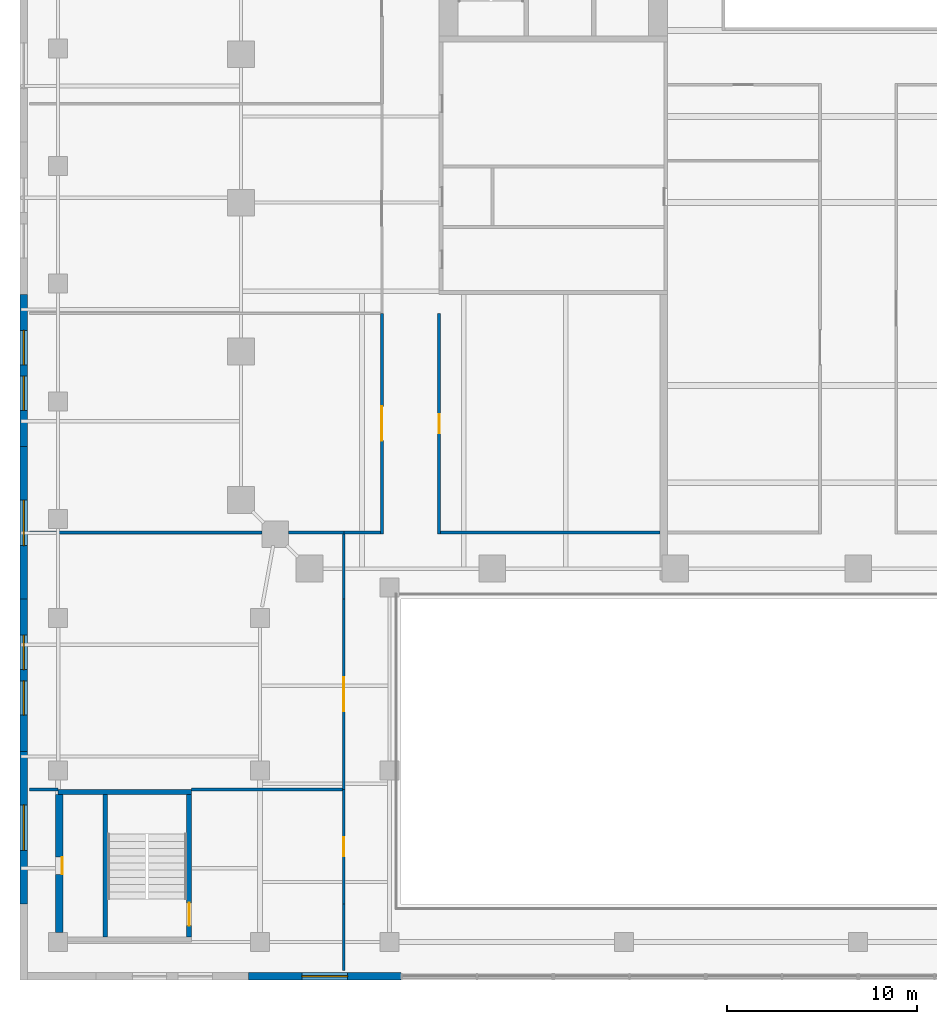
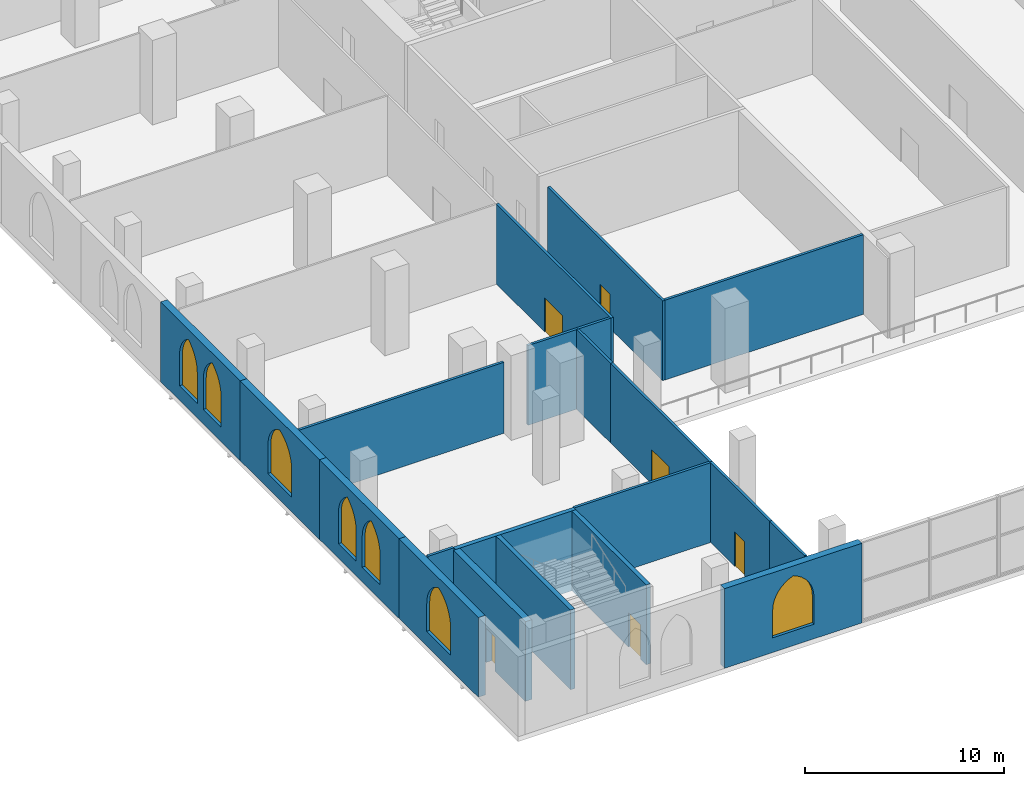
# One storey, part 9 of 22: 21 walls, 7 windows, 6 doors, 13 openings.
"""IFC4 building model written with IfcOpenShell, lengths in metres."""

from ifc_helpers import new_model, si_unit, direction, frame, frame_2d, origin, place, context, subcontext, project, spatial, polyline, rectangle, outline, extrude, material, layer, layer_set, type_object, element, fill, save


model = new_model("IFC4")

# Units and contexts
model_context = context("Model", 3, precision=1e-05, world=origin(), true_north=direction((0.0, 1.0)))
body_context = subcontext(model_context, "Body", "Model", "MODEL_VIEW")
ifc_project = project(units=[si_unit("LENGTHUNIT", "METRE"), si_unit("AREAUNIT", "SQUARE_METRE"), si_unit("VOLUMEUNIT", "CUBIC_METRE"), si_unit("PLANEANGLEUNIT", "RADIAN"), si_unit("MASSUNIT", "GRAM", prefix="KILO")], contexts=[model_context])

# Site, building, storey
site_placement = place(None, origin())
site = spatial("IfcSite", under=ifc_project, at=site_placement, CompositionType="ELEMENT")
building_placement = place(site_placement, origin())
building = spatial("IfcBuilding", under=site, at=building_placement, Name="Ogive Exchange Tower", CompositionType="ELEMENT")
storey_placement = place(building_placement, frame((0.0, 0.0, 14.0)))
storey = spatial("IfcBuildingStorey", under=building, at=storey_placement, Name="L02", CompositionType="ELEMENT", Elevation=14.0)

# Walls
ifc_material_1 = material(Name="Acoustic partition 150")
ifc_layer_1 = layer(ifc_material_1, 0.14990234375)
ifc_layer_set_1 = layer_set([ifc_layer_1], Name="Acoustic partition 150")
wall_type_1 = type_object("IfcWallType", Name="Acoustic partition 150", PredefinedType="PARTITIONING", material=ifc_layer_set_1)
wall_1_placement = place(storey_placement, frame((-43.5, -42.0, 0.0), z_axis=(0.0, 0.0, 1.0), x_axis=(1.0, 0.0, 0.0)))
element("IfcWall", 1, at=wall_1_placement, inside=storey, type_object=wall_type_1, Name="L02-PWL-001", PredefinedType="PARTITIONING", context=body_context, shape_type="SweptSolid", body=[
    extrude(rectangle(XDim=1.5, YDim=0.14990234375, at=frame_2d((0.75, 0.0))), origin(), (0.0, 0.0, 1.0), 4.89990234375),
])
wall_2_placement = place(storey_placement, frame((-35.0, -42.0, 0.0), z_axis=(0.0, 0.0, 1.0), x_axis=(1.0, 0.0, 0.0)))
element("IfcWall", 2, at=wall_2_placement, inside=storey, type_object=wall_type_1, Name="L02-PWL-002", PredefinedType="PARTITIONING", context=body_context, shape_type="SweptSolid", body=[
    extrude(rectangle(XDim=7.925048828125, YDim=0.14990234375, at=frame_2d((3.96240234375, 0.0))), origin(), (0.0, 0.0, 1.0), 4.89990234375),
])
wall_3_placement = place(storey_placement, frame((-43.5, -28.5, 0.0), z_axis=(0.0, 0.0, 1.0), x_axis=(1.0, 0.0, 0.0)))
element("IfcWall", 3, at=wall_3_placement, inside=storey, type_object=wall_type_1, Name="L02-PWL-005", PredefinedType="PARTITIONING", context=body_context, shape_type="SweptSolid", body=[
    extrude(rectangle(XDim=12.199951171875, YDim=0.14990234375, at=frame_2d((6.10009765625, 0.0))), origin(), (0.0, 0.0, 1.0), 4.364013671875),
])
wall_4_placement = place(storey_placement, frame((-29.89990234375, -28.5, 0.0), z_axis=(0.0, 0.0, 1.0), x_axis=(1.0, 0.0, 0.0)))
element("IfcWall", 4, at=wall_4_placement, inside=storey, type_object=wall_type_1, Name="L02-PWL-006", PredefinedType="PARTITIONING", context=body_context, shape_type="SweptSolid", body=[
    extrude(rectangle(XDim=2.89990234375, YDim=0.14990234375, at=frame_2d((1.449951171875, 0.0))), origin(), (0.0, 0.0, 1.0), 4.89990234375),
])
ifc_material_2 = material(Name="Fire partition EI 60 150")
ifc_layer_2 = layer(ifc_material_2, 0.14990234375)
ifc_layer_set_2 = layer_set([ifc_layer_2], Name="Fire partition EI 60 150")
wall_type_2 = type_object("IfcWallType", Name="Fire partition EI 60 150", PredefinedType="PARTITIONING", material=ifc_layer_set_2)
wall_5_placement = place(storey_placement, frame((-27.0, -28.5, 0.0), z_axis=(0.0, 0.0, 1.0), x_axis=(1.0, 0.0, 0.0)))
element("IfcWall", 5, at=wall_5_placement, inside=storey, type_object=wall_type_2, Name="L02-PWL-007", PredefinedType="PARTITIONING", context=body_context, shape_type="SweptSolid", body=[
    extrude(rectangle(XDim=1.925048828125, YDim=0.14990234375, at=frame_2d((0.96240234375, 0.0))), origin(), (0.0, 0.0, 1.0), 4.89990234375),
])
wall_6_placement = place(storey_placement, frame((-21.925048828125, -28.5, 0.0), z_axis=(0.0, 0.0, 1.0), x_axis=(1.0, 0.0, 0.0)))
element("IfcWall", 6, at=wall_6_placement, inside=storey, type_object=wall_type_2, Name="L02-PWL-008", PredefinedType="PARTITIONING", context=body_context, shape_type="SweptSolid", body=[
    extrude(rectangle(XDim=11.525146484375, YDim=0.14990234375, at=frame_2d((5.7626953125, 0.0))), origin(), (0.0, 0.0, 1.0), 4.89990234375),
])
wall_7_placement = place(storey_placement, frame((-27.0, -51.5, 0.0), z_axis=(0.0, 0.0, 1.0), x_axis=(0.0, 1.0, 0.0)))
element("IfcWall", 7, at=wall_7_placement, inside=storey, type_object=wall_type_2, Name="L02-PWL-037", PredefinedType="PARTITIONING", context=body_context, shape_type="SweptSolid", body=[
    extrude(rectangle(XDim=3.5, YDim=0.14990234375, at=frame_2d((1.75, 0.0))), origin(), (0.0, 0.0, 1.0), 4.89990234375),
])

# Wall, opening, door
wall_8_placement = place(storey_placement, frame((-27.0, -48.0, 0.0), z_axis=(0.0, 0.0, 1.0), x_axis=(0.0, 1.0, 0.0)))
wall_8 = element("IfcWall", 8, at=wall_8_placement, inside=storey, type_object=wall_type_2, Name="L02-PWL-038", PredefinedType="PARTITIONING", context=body_context, shape_type="SweptSolid", body=[
    extrude(rectangle(XDim=6.0, YDim=0.14990234375, at=frame_2d((3.0, 0.0))), origin(), (0.0, 0.0, 1.0), 4.89990234375),
])
opening_1_placement = place(wall_8_placement, frame((2.5, 0.0, 0.0)))
opening_1 = element("IfcOpeningElement", 9, at=opening_1_placement, cuts=wall_8, Name="Opening L02-I14", PredefinedType="OPENING", context=body_context, shape_type="SweptSolid", body=[
    extrude(rectangle(XDim=1.0, YDim=2.10009765625, at=frame_2d((0.5, 1.050048828125))), frame((0.0, 0.0849609375, 0.0), z_axis=(0.0, -1.0, 0.0), x_axis=(1.0, 0.0, 0.0)), (0.0, 0.0, 1.0), 0.169921875),
])
ifc_material_3 = material(Name="Fire door FD 30S 1000 x 2100")
door_type_1 = type_object("IfcDoorType", Name="Fire door FD 30S 1000 x 2100", OperationType="NOTDEFINED", PredefinedType="DOOR", material=ifc_material_3)
door_1_placement = place(opening_1_placement, origin())
door_1 = element("IfcDoor", 10, at=door_1_placement, inside=storey, type_object=door_type_1, Name="L02-IDR-014", ObjectType="DT3", OperationType="SINGLE_SWING_LEFT", OverallHeight=2.10009765625, OverallWidth=1.0, PredefinedType="DOOR", context=body_context, shape_type="SweptSolid", body=[
    extrude(rectangle(XDim=1.0, YDim=2.10009765625, at=frame_2d((0.5, 1.050048828125))), frame((0.0, 0.02490234375, 0.0), z_axis=(0.0, -1.0, 0.0), x_axis=(1.0, 0.0, 0.0)), (0.0, 0.0, 1.0), 0.050048828125),
])
fill(opening_1, door_1)

wall_9_placement = place(storey_placement, frame((-27.0, -42.0, 0.0), z_axis=(0.0, 0.0, 1.0), x_axis=(0.0, 1.0, 0.0)))
wall_9 = element("IfcWall", 11, at=wall_9_placement, inside=storey, type_object=wall_type_2, Name="L02-PWL-039", PredefinedType="PARTITIONING", context=body_context, shape_type="SweptSolid", body=[
    extrude(rectangle(XDim=10.0, YDim=0.14990234375, at=frame_2d((5.0, 0.0))), origin(), (0.0, 0.0, 1.0), 4.89990234375),
])
opening_2_placement = place(wall_9_placement, frame((4.10009765625, 0.0, 0.0)))
opening_2 = element("IfcOpeningElement", 12, at=opening_2_placement, cuts=wall_9, Name="Opening L02-I15", PredefinedType="OPENING", context=body_context, shape_type="SweptSolid", body=[
    extrude(rectangle(XDim=1.800048828125, YDim=2.10009765625, at=frame_2d((0.89990234375, 1.050048828125))), frame((0.0, 0.0849609375, 0.0), z_axis=(0.0, -1.0, 0.0), x_axis=(1.0, 0.0, 0.0)), (0.0, 0.0, 1.0), 0.169921875),
])
ifc_material_4 = material(Name="Fire door FD 30S 1800 x 2100")
door_type_2 = type_object("IfcDoorType", Name="Fire door FD 30S 1800 x 2100", OperationType="DOUBLE_DOOR_SINGLE_SWING", PredefinedType="DOOR", material=ifc_material_4)
door_2_placement = place(opening_2_placement, origin())
door_2 = element("IfcDoor", 13, at=door_2_placement, inside=storey, type_object=door_type_2, Name="L02-IDR-015", ObjectType="DT4", OperationType="SINGLE_SWING_LEFT", OverallHeight=2.10009765625, OverallWidth=1.800048828125, PredefinedType="DOOR", context=body_context, shape_type="SweptSolid", body=[
    extrude(rectangle(XDim=1.800048828125, YDim=2.10009765625, at=frame_2d((0.89990234375, 1.050048828125))), frame((0.0, 0.02490234375, 0.0), z_axis=(0.0, -1.0, 0.0), x_axis=(1.0, 0.0, 0.0)), (0.0, 0.0, 1.0), 0.050048828125),
])
fill(opening_2, door_2)

# Wall
wall_10_placement = place(storey_placement, frame((-27.0, -32.0, 0.0), z_axis=(0.0, 0.0, 1.0), x_axis=(0.0, 1.0, 0.0)))
element("IfcWall", 14, at=wall_10_placement, inside=storey, type_object=wall_type_2, Name="L02-PWL-040", PredefinedType="PARTITIONING", context=body_context, shape_type="SweptSolid", body=[
    extrude(rectangle(XDim=3.425048828125, YDim=0.14990234375, at=frame_2d((1.71240234375, 0.0))), origin(), (0.0, 0.0, 1.0), 4.89990234375),
])

# Wall, opening, door
wall_11_placement = place(storey_placement, frame((-25.0, -28.574951171875, 0.0), z_axis=(0.0, 0.0, 1.0), x_axis=(0.0, 1.0, 0.0)))
wall_11 = element("IfcWall", 15, at=wall_11_placement, inside=storey, type_object=wall_type_2, Name="L02-PWL-041", PredefinedType="PARTITIONING", context=body_context, shape_type="SweptSolid", body=[
    extrude(rectangle(XDim=11.574951171875, YDim=0.14990234375, at=frame_2d((5.78759765625, 0.0))), origin(), (0.0, 0.0, 1.0), 4.89990234375),
])
opening_3_placement = place(wall_11_placement, frame((4.887451171875, 0.0, 0.0)))
opening_3 = element("IfcOpeningElement", 16, at=opening_3_placement, cuts=wall_11, Name="Opening L02-I03", PredefinedType="OPENING", context=body_context, shape_type="SweptSolid", body=[
    extrude(rectangle(XDim=1.800048828125, YDim=2.10009765625, at=frame_2d((0.89990234375, 1.050048828125))), frame((0.0, 0.0849609375, 0.0), z_axis=(0.0, -1.0, 0.0), x_axis=(1.0, 0.0, 0.0)), (0.0, 0.0, 1.0), 0.169921875),
])
door_3_placement = place(opening_3_placement, frame((1.800048828125, 0.0, 0.0), z_axis=(0.0, 0.0, 1.0), x_axis=(-1.0, 0.0, 0.0)))
door_3 = element("IfcDoor", 17, at=door_3_placement, inside=storey, type_object=door_type_2, Name="L02-IDR-003", ObjectType="DT4", OperationType="SINGLE_SWING_RIGHT", OverallHeight=2.10009765625, OverallWidth=1.800048828125, PredefinedType="DOOR", context=body_context, shape_type="SweptSolid", body=[
    extrude(rectangle(XDim=1.800048828125, YDim=2.10009765625, at=frame_2d((0.89990234375, 1.050048828125))), frame((0.0, 0.02490234375, 0.0), z_axis=(0.0, -1.0, 0.0), x_axis=(1.0, 0.0, 0.0)), (0.0, 0.0, 1.0), 0.050048828125),
])
fill(opening_3, door_3)

wall_12_placement = place(storey_placement, frame((-22.0, -28.574951171875, 0.0), z_axis=(0.0, 0.0, 1.0), x_axis=(0.0, 1.0, 0.0)))
wall_12 = element("IfcWall", 18, at=wall_12_placement, inside=storey, type_object=wall_type_2, Name="L02-PWL-047", PredefinedType="PARTITIONING", context=body_context, shape_type="SweptSolid", body=[
    extrude(rectangle(XDim=11.574951171875, YDim=0.14990234375, at=frame_2d((5.78759765625, 0.0))), origin(), (0.0, 0.0, 1.0), 4.89990234375),
])
opening_4_placement = place(wall_12_placement, frame((5.28759765625, 0.0, 0.0)))
opening_4 = element("IfcOpeningElement", 19, at=opening_4_placement, cuts=wall_12, Name="Opening L02-I18", PredefinedType="OPENING", context=body_context, shape_type="SweptSolid", body=[
    extrude(rectangle(XDim=1.0, YDim=2.10009765625, at=frame_2d((0.5, 1.050048828125))), frame((0.0, 0.0849609375, 0.0), z_axis=(0.0, -1.0, 0.0), x_axis=(1.0, 0.0, 0.0)), (0.0, 0.0, 1.0), 0.169921875),
])
door_4_placement = place(opening_4_placement, frame((1.0, 0.0, 0.0), z_axis=(0.0, 0.0, 1.0), x_axis=(-1.0, 0.0, 0.0)))
door_4 = element("IfcDoor", 20, at=door_4_placement, inside=storey, type_object=door_type_1, Name="L02-IDR-018", ObjectType="DT3", OperationType="SINGLE_SWING_LEFT", OverallHeight=2.10009765625, OverallWidth=1.0, PredefinedType="DOOR", context=body_context, shape_type="SweptSolid", body=[
    extrude(rectangle(XDim=1.0, YDim=2.10009765625, at=frame_2d((0.5, 1.050048828125))), frame((0.0, 0.02490234375, 0.0), z_axis=(0.0, -1.0, 0.0), x_axis=(1.0, 0.0, 0.0)), (0.0, 0.0, 1.0), 0.050048828125),
])
fill(opening_4, door_4)

# Wall, opening, window
ifc_material_5 = material(Name="Precast concrete C40/50", Category="concrete")
ifc_layer_3 = layer(ifc_material_5, 0.39990234375)
ifc_layer_set_3 = layer_set([ifc_layer_3], Name="Limestone-faced wall 400")
wall_type_3 = type_object("IfcWallType", Name="Limestone-faced wall 400", PredefinedType="STANDARD", material=ifc_layer_set_3)
wall_13_placement = place(storey_placement, frame((-32.0, -51.800048828125, 0.0), z_axis=(0.0, 0.0, 1.0), x_axis=(1.0, 0.0, 0.0)))
wall_13 = element("IfcWall", 21, at=wall_13_placement, inside=storey, type_object=wall_type_3, Name="Podium wall S3", PredefinedType="STANDARD", context=body_context, shape_type="SweptSolid", body=[
    extrude(rectangle(XDim=8.0, YDim=0.39990234375, at=frame_2d((4.0, 0.0))), origin(), (0.0, 0.0, 1.0), 4.89990234375),
])
opening_5_placement = place(wall_13_placement, frame((2.800048828125, 0.0, 0.89990234375)))
opening_5 = element("IfcOpeningElement", 22, at=opening_5_placement, cuts=wall_13, Name="Opening WP340", PredefinedType="OPENING", context=body_context, shape_type="SweptSolid", body=[
    extrude(outline(polyline([(0.0, 0.0), (2.39990234375, 0.0), (2.39990234375, 1.699951171875), (2.378662109375, 1.97607421875), (2.3154296875, 2.24560546875), (2.211669921875, 2.50244140625), (2.069580078125, 2.740234375), (1.89306640625, 2.95361328125), (1.685791015625, 3.137451171875), (1.453125, 3.287353515625), (1.199951171875, 3.39990234375), (0.94677734375, 3.287353515625), (0.714111328125, 3.137451171875), (0.5068359375, 2.95361328125), (0.330322265625, 2.740234375), (0.188232421875, 2.50244140625), (0.08447265625, 2.24560546875), (0.021240234375, 1.97607421875), (0.0, 1.699951171875), (0.0, 0.0)])), frame((0.0, 0.2099609375, 0.0), z_axis=(0.0, -1.0, 0.0), x_axis=(1.0, 0.0, 0.0)), (0.0, 0.0, 1.0), 0.419921875),
])
ifc_material_6 = material(Name="Clear glass in bronze frame", Category="glass")
window_type_1 = type_object("IfcWindowType", Name="Podium lancet window 2400 x 3400", PartitioningType="DOUBLE_PANEL_VERTICAL", PredefinedType="WINDOW", material=ifc_material_6)
window_1_placement = place(opening_5_placement, origin())
window_1 = element("IfcWindow", 23, at=window_1_placement, inside=storey, type_object=window_type_1, Name="Podium window S3", OverallHeight=3.39990234375, OverallWidth=2.39990234375, PartitioningType="DOUBLE_PANEL_VERTICAL", PredefinedType="WINDOW", context=body_context, shape_type="SweptSolid", body=[
    extrude(outline(polyline([(0.0, 0.0), (2.39990234375, 0.0), (2.39990234375, 1.699951171875), (2.378662109375, 1.97607421875), (2.3154296875, 2.24560546875), (2.211669921875, 2.50244140625), (2.069580078125, 2.740234375), (1.89306640625, 2.95361328125), (1.685791015625, 3.137451171875), (1.453125, 3.287353515625), (1.199951171875, 3.39990234375), (0.94677734375, 3.287353515625), (0.714111328125, 3.137451171875), (0.5068359375, 2.95361328125), (0.330322265625, 2.740234375), (0.188232421875, 2.50244140625), (0.08447265625, 2.24560546875), (0.021240234375, 1.97607421875), (0.0, 1.699951171875), (0.0, 0.0)])), frame((0.0, 0.030029296875, 0.0), z_axis=(0.0, -1.0, 0.0), x_axis=(1.0, 0.0, 0.0)), (0.0, 0.0, 1.0), 0.06005859375),
])
fill(opening_5, window_1)

# Wall, openings, windows
wall_14_placement = place(storey_placement, frame((-43.800048828125, -16.0, 0.0), z_axis=(0.0, 0.0, 1.0), x_axis=(0.0, -1.0, 0.0)))
wall_14 = element("IfcWall", 24, at=wall_14_placement, inside=storey, type_object=wall_type_3, Name="Podium wall W8", PredefinedType="STANDARD", context=body_context, shape_type="SweptSolid", body=[
    extrude(rectangle(XDim=8.0, YDim=0.39990234375, at=frame_2d((4.0, 0.0))), origin(), (0.0, 0.0, 1.0), 4.89990234375),
])
opening_6_placement = place(wall_14_placement, frame((1.89990234375, 0.0, 0.89990234375)))
opening_6 = element("IfcOpeningElement", 25, at=opening_6_placement, cuts=wall_14, Name="Opening WQ340", PredefinedType="OPENING", context=body_context, shape_type="SweptSolid", body=[
    extrude(outline(polyline([(0.0, 0.0), (1.800048828125, 0.0), (1.800048828125, 1.841064453125), (1.78466796875, 2.075927734375), (1.73876953125, 2.306884765625), (1.6630859375, 2.52978515625), (1.558837890625, 2.740966796875), (1.427978515625, 2.936767578125), (1.272705078125, 3.11376953125), (1.095703125, 3.26904296875), (0.89990234375, 3.39990234375), (0.704345703125, 3.26904296875), (0.52734375, 3.11376953125), (0.3720703125, 2.936767578125), (0.2412109375, 2.740966796875), (0.136962890625, 2.52978515625), (0.061279296875, 2.306884765625), (0.015380859375, 2.075927734375), (0.0, 1.841064453125), (0.0, 0.0)])), frame((0.0, 0.2099609375, 0.0), z_axis=(0.0, -1.0, 0.0), x_axis=(1.0, 0.0, 0.0)), (0.0, 0.0, 1.0), 0.419921875),
])
opening_7_placement = place(wall_14_placement, frame((4.300048828125, 0.0, 0.89990234375)))
opening_7 = element("IfcOpeningElement", 26, at=opening_7_placement, cuts=wall_14, Name="Opening WQ340", PredefinedType="OPENING", context=body_context, shape_type="SweptSolid", body=[
    extrude(outline(polyline([(0.0, 0.0), (1.800048828125, 0.0), (1.800048828125, 1.841064453125), (1.78466796875, 2.075927734375), (1.73876953125, 2.306884765625), (1.6630859375, 2.52978515625), (1.558837890625, 2.740966796875), (1.427978515625, 2.936767578125), (1.272705078125, 3.11376953125), (1.095703125, 3.26904296875), (0.89990234375, 3.39990234375), (0.704345703125, 3.26904296875), (0.52734375, 3.11376953125), (0.3720703125, 2.936767578125), (0.2412109375, 2.740966796875), (0.136962890625, 2.52978515625), (0.061279296875, 2.306884765625), (0.015380859375, 2.075927734375), (0.0, 1.841064453125), (0.0, 0.0)])), frame((0.0, 0.2099609375, 0.0), z_axis=(0.0, -1.0, 0.0), x_axis=(1.0, 0.0, 0.0)), (0.0, 0.0, 1.0), 0.419921875),
])
window_type_2 = type_object("IfcWindowType", Name="Podium paired lancet 1800 x 3400", PartitioningType="DOUBLE_PANEL_VERTICAL", PredefinedType="WINDOW", material=ifc_material_6)
window_2_placement = place(opening_6_placement, origin())
window_2 = element("IfcWindow", 27, at=window_2_placement, inside=storey, type_object=window_type_2, Name="Podium paired lancet W8.1", OverallHeight=3.39990234375, OverallWidth=1.800048828125, PartitioningType="DOUBLE_PANEL_VERTICAL", PredefinedType="WINDOW", context=body_context, shape_type="SweptSolid", body=[
    extrude(outline(polyline([(0.0, 0.0), (1.800048828125, 0.0), (1.800048828125, 1.841064453125), (1.78466796875, 2.075927734375), (1.73876953125, 2.306884765625), (1.6630859375, 2.52978515625), (1.558837890625, 2.740966796875), (1.427978515625, 2.936767578125), (1.272705078125, 3.11376953125), (1.095703125, 3.26904296875), (0.89990234375, 3.39990234375), (0.704345703125, 3.26904296875), (0.52734375, 3.11376953125), (0.3720703125, 2.936767578125), (0.2412109375, 2.740966796875), (0.136962890625, 2.52978515625), (0.061279296875, 2.306884765625), (0.015380859375, 2.075927734375), (0.0, 1.841064453125), (0.0, 0.0)])), frame((0.0, 0.030029296875, 0.0), z_axis=(0.0, -1.0, 0.0), x_axis=(1.0, 0.0, 0.0)), (0.0, 0.0, 1.0), 0.06005859375),
])
fill(opening_6, window_2)
window_3_placement = place(opening_7_placement, origin())
window_3 = element("IfcWindow", 28, at=window_3_placement, inside=storey, type_object=window_type_2, Name="Podium paired lancet W8.2", OverallHeight=3.39990234375, OverallWidth=1.800048828125, PartitioningType="DOUBLE_PANEL_VERTICAL", PredefinedType="WINDOW", context=body_context, shape_type="SweptSolid", body=[
    extrude(outline(polyline([(0.0, 0.0), (1.800048828125, 0.0), (1.800048828125, 1.841064453125), (1.78466796875, 2.075927734375), (1.73876953125, 2.306884765625), (1.6630859375, 2.52978515625), (1.558837890625, 2.740966796875), (1.427978515625, 2.936767578125), (1.272705078125, 3.11376953125), (1.095703125, 3.26904296875), (0.89990234375, 3.39990234375), (0.704345703125, 3.26904296875), (0.52734375, 3.11376953125), (0.3720703125, 2.936767578125), (0.2412109375, 2.740966796875), (0.136962890625, 2.52978515625), (0.061279296875, 2.306884765625), (0.015380859375, 2.075927734375), (0.0, 1.841064453125), (0.0, 0.0)])), frame((0.0, 0.030029296875, 0.0), z_axis=(0.0, -1.0, 0.0), x_axis=(1.0, 0.0, 0.0)), (0.0, 0.0, 1.0), 0.06005859375),
])
fill(opening_7, window_3)

# Wall, opening, window
wall_15_placement = place(storey_placement, frame((-43.800048828125, -24.0, 0.0), z_axis=(0.0, 0.0, 1.0), x_axis=(0.0, -1.0, 0.0)))
wall_15 = element("IfcWall", 29, at=wall_15_placement, inside=storey, type_object=wall_type_3, Name="Podium wall W9", PredefinedType="STANDARD", context=body_context, shape_type="SweptSolid", body=[
    extrude(rectangle(XDim=8.0, YDim=0.39990234375, at=frame_2d((4.0, 0.0))), origin(), (0.0, 0.0, 1.0), 4.89990234375),
])
opening_8_placement = place(wall_15_placement, frame((2.800048828125, 0.0, 0.89990234375)))
opening_8 = element("IfcOpeningElement", 30, at=opening_8_placement, cuts=wall_15, Name="Opening WP340", PredefinedType="OPENING", context=body_context, shape_type="SweptSolid", body=[
    extrude(outline(polyline([(0.0, 0.0), (2.39990234375, 0.0), (2.39990234375, 1.699951171875), (2.378662109375, 1.97607421875), (2.3154296875, 2.24560546875), (2.211669921875, 2.50244140625), (2.069580078125, 2.740234375), (1.89306640625, 2.95361328125), (1.685791015625, 3.137451171875), (1.453125, 3.287353515625), (1.199951171875, 3.39990234375), (0.94677734375, 3.287353515625), (0.714111328125, 3.137451171875), (0.5068359375, 2.95361328125), (0.330322265625, 2.740234375), (0.188232421875, 2.50244140625), (0.08447265625, 2.24560546875), (0.021240234375, 1.97607421875), (0.0, 1.699951171875), (0.0, 0.0)])), frame((0.0, 0.2099609375, 0.0), z_axis=(0.0, -1.0, 0.0), x_axis=(1.0, 0.0, 0.0)), (0.0, 0.0, 1.0), 0.419921875),
])
window_4_placement = place(opening_8_placement, origin())
window_4 = element("IfcWindow", 31, at=window_4_placement, inside=storey, type_object=window_type_1, Name="Podium window W9", OverallHeight=3.39990234375, OverallWidth=2.39990234375, PartitioningType="DOUBLE_PANEL_VERTICAL", PredefinedType="WINDOW", context=body_context, shape_type="SweptSolid", body=[
    extrude(outline(polyline([(0.0, 0.0), (2.39990234375, 0.0), (2.39990234375, 1.699951171875), (2.378662109375, 1.97607421875), (2.3154296875, 2.24560546875), (2.211669921875, 2.50244140625), (2.069580078125, 2.740234375), (1.89306640625, 2.95361328125), (1.685791015625, 3.137451171875), (1.453125, 3.287353515625), (1.199951171875, 3.39990234375), (0.94677734375, 3.287353515625), (0.714111328125, 3.137451171875), (0.5068359375, 2.95361328125), (0.330322265625, 2.740234375), (0.188232421875, 2.50244140625), (0.08447265625, 2.24560546875), (0.021240234375, 1.97607421875), (0.0, 1.699951171875), (0.0, 0.0)])), frame((0.0, 0.030029296875, 0.0), z_axis=(0.0, -1.0, 0.0), x_axis=(1.0, 0.0, 0.0)), (0.0, 0.0, 1.0), 0.06005859375),
])
fill(opening_8, window_4)

# Wall, openings, windows
wall_16_placement = place(storey_placement, frame((-43.800048828125, -32.0, 0.0), z_axis=(0.0, 0.0, 1.0), x_axis=(0.0, -1.0, 0.0)))
wall_16 = element("IfcWall", 32, at=wall_16_placement, inside=storey, type_object=wall_type_3, Name="Podium wall W10", PredefinedType="STANDARD", context=body_context, shape_type="SweptSolid", body=[
    extrude(rectangle(XDim=8.0, YDim=0.39990234375, at=frame_2d((4.0, 0.0))), origin(), (0.0, 0.0, 1.0), 4.89990234375),
])
opening_9_placement = place(wall_16_placement, frame((1.89990234375, 0.0, 0.89990234375)))
opening_9 = element("IfcOpeningElement", 33, at=opening_9_placement, cuts=wall_16, Name="Opening WQ340", PredefinedType="OPENING", context=body_context, shape_type="SweptSolid", body=[
    extrude(outline(polyline([(0.0, 0.0), (1.800048828125, 0.0), (1.800048828125, 1.841064453125), (1.78466796875, 2.075927734375), (1.73876953125, 2.306884765625), (1.6630859375, 2.52978515625), (1.558837890625, 2.740966796875), (1.427978515625, 2.936767578125), (1.272705078125, 3.11376953125), (1.095703125, 3.26904296875), (0.89990234375, 3.39990234375), (0.704345703125, 3.26904296875), (0.52734375, 3.11376953125), (0.3720703125, 2.936767578125), (0.2412109375, 2.740966796875), (0.136962890625, 2.52978515625), (0.061279296875, 2.306884765625), (0.015380859375, 2.075927734375), (0.0, 1.841064453125), (0.0, 0.0)])), frame((0.0, 0.2099609375, 0.0), z_axis=(0.0, -1.0, 0.0), x_axis=(1.0, 0.0, 0.0)), (0.0, 0.0, 1.0), 0.419921875),
])
opening_10_placement = place(wall_16_placement, frame((4.300048828125, 0.0, 0.89990234375)))
opening_10 = element("IfcOpeningElement", 34, at=opening_10_placement, cuts=wall_16, Name="Opening WQ340", PredefinedType="OPENING", context=body_context, shape_type="SweptSolid", body=[
    extrude(outline(polyline([(0.0, 0.0), (1.800048828125, 0.0), (1.800048828125, 1.841064453125), (1.78466796875, 2.075927734375), (1.73876953125, 2.306884765625), (1.6630859375, 2.52978515625), (1.558837890625, 2.740966796875), (1.427978515625, 2.936767578125), (1.272705078125, 3.11376953125), (1.095703125, 3.26904296875), (0.89990234375, 3.39990234375), (0.704345703125, 3.26904296875), (0.52734375, 3.11376953125), (0.3720703125, 2.936767578125), (0.2412109375, 2.740966796875), (0.136962890625, 2.52978515625), (0.061279296875, 2.306884765625), (0.015380859375, 2.075927734375), (0.0, 1.841064453125), (0.0, 0.0)])), frame((0.0, 0.2099609375, 0.0), z_axis=(0.0, -1.0, 0.0), x_axis=(1.0, 0.0, 0.0)), (0.0, 0.0, 1.0), 0.419921875),
])
window_5_placement = place(opening_9_placement, origin())
window_5 = element("IfcWindow", 35, at=window_5_placement, inside=storey, type_object=window_type_2, Name="Podium paired lancet W10.1", OverallHeight=3.39990234375, OverallWidth=1.800048828125, PartitioningType="DOUBLE_PANEL_VERTICAL", PredefinedType="WINDOW", context=body_context, shape_type="SweptSolid", body=[
    extrude(outline(polyline([(0.0, 0.0), (1.800048828125, 0.0), (1.800048828125, 1.841064453125), (1.78466796875, 2.075927734375), (1.73876953125, 2.306884765625), (1.6630859375, 2.52978515625), (1.558837890625, 2.740966796875), (1.427978515625, 2.936767578125), (1.272705078125, 3.11376953125), (1.095703125, 3.26904296875), (0.89990234375, 3.39990234375), (0.704345703125, 3.26904296875), (0.52734375, 3.11376953125), (0.3720703125, 2.936767578125), (0.2412109375, 2.740966796875), (0.136962890625, 2.52978515625), (0.061279296875, 2.306884765625), (0.015380859375, 2.075927734375), (0.0, 1.841064453125), (0.0, 0.0)])), frame((0.0, 0.030029296875, 0.0), z_axis=(0.0, -1.0, 0.0), x_axis=(1.0, 0.0, 0.0)), (0.0, 0.0, 1.0), 0.06005859375),
])
fill(opening_9, window_5)
window_6_placement = place(opening_10_placement, origin())
window_6 = element("IfcWindow", 36, at=window_6_placement, inside=storey, type_object=window_type_2, Name="Podium paired lancet W10.2", OverallHeight=3.39990234375, OverallWidth=1.800048828125, PartitioningType="DOUBLE_PANEL_VERTICAL", PredefinedType="WINDOW", context=body_context, shape_type="SweptSolid", body=[
    extrude(outline(polyline([(0.0, 0.0), (1.800048828125, 0.0), (1.800048828125, 1.841064453125), (1.78466796875, 2.075927734375), (1.73876953125, 2.306884765625), (1.6630859375, 2.52978515625), (1.558837890625, 2.740966796875), (1.427978515625, 2.936767578125), (1.272705078125, 3.11376953125), (1.095703125, 3.26904296875), (0.89990234375, 3.39990234375), (0.704345703125, 3.26904296875), (0.52734375, 3.11376953125), (0.3720703125, 2.936767578125), (0.2412109375, 2.740966796875), (0.136962890625, 2.52978515625), (0.061279296875, 2.306884765625), (0.015380859375, 2.075927734375), (0.0, 1.841064453125), (0.0, 0.0)])), frame((0.0, 0.030029296875, 0.0), z_axis=(0.0, -1.0, 0.0), x_axis=(1.0, 0.0, 0.0)), (0.0, 0.0, 1.0), 0.06005859375),
])
fill(opening_10, window_6)

# Wall, opening, window
wall_17_placement = place(storey_placement, frame((-43.800048828125, -40.0, 0.0), z_axis=(0.0, 0.0, 1.0), x_axis=(0.0, -1.0, 0.0)))
wall_17 = element("IfcWall", 37, at=wall_17_placement, inside=storey, type_object=wall_type_3, Name="Podium wall W11", PredefinedType="STANDARD", context=body_context, shape_type="SweptSolid", body=[
    extrude(rectangle(XDim=8.0, YDim=0.39990234375, at=frame_2d((4.0, 0.0))), origin(), (0.0, 0.0, 1.0), 4.89990234375),
])
opening_11_placement = place(wall_17_placement, frame((2.800048828125, 0.0, 0.89990234375)))
opening_11 = element("IfcOpeningElement", 38, at=opening_11_placement, cuts=wall_17, Name="Opening WP340", PredefinedType="OPENING", context=body_context, shape_type="SweptSolid", body=[
    extrude(outline(polyline([(0.0, 0.0), (2.39990234375, 0.0), (2.39990234375, 1.699951171875), (2.378662109375, 1.97607421875), (2.3154296875, 2.24560546875), (2.211669921875, 2.50244140625), (2.069580078125, 2.740234375), (1.89306640625, 2.95361328125), (1.685791015625, 3.137451171875), (1.453125, 3.287353515625), (1.199951171875, 3.39990234375), (0.94677734375, 3.287353515625), (0.714111328125, 3.137451171875), (0.5068359375, 2.95361328125), (0.330322265625, 2.740234375), (0.188232421875, 2.50244140625), (0.08447265625, 2.24560546875), (0.021240234375, 1.97607421875), (0.0, 1.699951171875), (0.0, 0.0)])), frame((0.0, 0.2099609375, 0.0), z_axis=(0.0, -1.0, 0.0), x_axis=(1.0, 0.0, 0.0)), (0.0, 0.0, 1.0), 0.419921875),
])
window_7_placement = place(opening_11_placement, origin())
window_7 = element("IfcWindow", 39, at=window_7_placement, inside=storey, type_object=window_type_1, Name="Podium window W11", OverallHeight=3.39990234375, OverallWidth=2.39990234375, PartitioningType="DOUBLE_PANEL_VERTICAL", PredefinedType="WINDOW", context=body_context, shape_type="SweptSolid", body=[
    extrude(outline(polyline([(0.0, 0.0), (2.39990234375, 0.0), (2.39990234375, 1.699951171875), (2.378662109375, 1.97607421875), (2.3154296875, 2.24560546875), (2.211669921875, 2.50244140625), (2.069580078125, 2.740234375), (1.89306640625, 2.95361328125), (1.685791015625, 3.137451171875), (1.453125, 3.287353515625), (1.199951171875, 3.39990234375), (0.94677734375, 3.287353515625), (0.714111328125, 3.137451171875), (0.5068359375, 2.95361328125), (0.330322265625, 2.740234375), (0.188232421875, 2.50244140625), (0.08447265625, 2.24560546875), (0.021240234375, 1.97607421875), (0.0, 1.699951171875), (0.0, 0.0)])), frame((0.0, 0.030029296875, 0.0), z_axis=(0.0, -1.0, 0.0), x_axis=(1.0, 0.0, 0.0)), (0.0, 0.0, 1.0), 0.06005859375),
])
fill(opening_11, window_7)

# Wall
ifc_material_7 = material(Name="Concrete C70/85", Category="concrete")
ifc_layer_4 = layer(ifc_material_7, 0.25)
ifc_layer_set_4 = layer_set([ifc_layer_4], Name="RC core wall 250 C70/85")
wall_type_4 = type_object("IfcWallType", Name="RC core wall 250 C70/85", PredefinedType="SHEAR", material=ifc_layer_set_4)
wall_18_placement = place(storey_placement, frame((-42.0, -42.125, 0.0), z_axis=(0.0, 0.0, 1.0), x_axis=(1.0, 0.0, 0.0)))
element("IfcWall", 40, at=wall_18_placement, inside=storey, type_object=wall_type_4, Name="PS1 north wall", PredefinedType="SHEAR", context=body_context, shape_type="SweptSolid", body=[
    extrude(rectangle(XDim=7.0, YDim=0.25, at=frame_2d((3.5, 0.0))), origin(), (0.0, 0.0, 1.0), 4.89990234375),
])

# Wall, opening, door
wall_19_placement = place(storey_placement, frame((-35.125, -49.75, 0.0), z_axis=(0.0, 0.0, 1.0), x_axis=(0.0, 1.0, 0.0)))
wall_19 = element("IfcWall", 41, at=wall_19_placement, inside=storey, type_object=wall_type_4, Name="PS1 east wall", PredefinedType="SHEAR", context=body_context, shape_type="SweptSolid", body=[
    extrude(rectangle(XDim=7.5, YDim=0.25, at=frame_2d((3.75, 0.0))), origin(), (0.0, 0.0, 1.0), 4.89990234375),
])
opening_12_placement = place(wall_19_placement, frame((0.60009765625, 0.0, 0.0)))
opening_12 = element("IfcOpeningElement", 42, at=opening_12_placement, cuts=wall_19, Name="Opening L02-C44", PredefinedType="OPENING", context=body_context, shape_type="SweptSolid", body=[
    extrude(rectangle(XDim=1.199951171875, YDim=2.10009765625, at=frame_2d((0.60009765625, 1.050048828125))), frame((0.0, 0.135009765625, 0.0), z_axis=(0.0, -1.0, 0.0), x_axis=(1.0, 0.0, 0.0)), (0.0, 0.0, 1.0), 0.27001953125),
])
ifc_material_8 = material(Name="Steel fire door", Category="steel")
door_type_3 = type_object("IfcDoorType", Name="Stair door FD90 1200 x 2100", OperationType="NOTDEFINED", PredefinedType="DOOR", material=ifc_material_8)
door_5_placement = place(opening_12_placement, origin())
door_5 = element("IfcDoor", 43, at=door_5_placement, inside=storey, type_object=door_type_3, Name="Stair door", ObjectType="CD5", OperationType="SINGLE_SWING_RIGHT", OverallHeight=2.10009765625, OverallWidth=1.199951171875, PredefinedType="DOOR", context=body_context, shape_type="SweptSolid", body=[
    extrude(rectangle(XDim=1.199951171875, YDim=2.10009765625, at=frame_2d((0.60009765625, 1.050048828125))), frame((0.0, 0.02490234375, 0.0), z_axis=(0.0, -1.0, 0.0), x_axis=(1.0, 0.0, 0.0)), (0.0, 0.0, 1.0), 0.050048828125),
])
fill(opening_12, door_5)

# Wall
wall_20_placement = place(storey_placement, frame((-39.52490234375, -49.75, 0.0), z_axis=(0.0, 0.0, 1.0), x_axis=(0.0, 1.0, 0.0)))
element("IfcWall", 44, at=wall_20_placement, inside=storey, type_object=wall_type_4, Name="PS1 partition wall", PredefinedType="SHEAR", context=body_context, shape_type="SweptSolid", body=[
    extrude(rectangle(XDim=7.5, YDim=0.25, at=frame_2d((3.75, 0.0))), origin(), (0.0, 0.0, 1.0), 4.89990234375),
])

# Wall, opening, door
ifc_layer_5 = layer(ifc_material_7, 0.383544921875)
ifc_layer_set_5 = layer_set([ifc_layer_5], Name="RC core wall 384 C70/85")
wall_type_5 = type_object("IfcWallType", Name="RC core wall 384 C70/85", PredefinedType="SHEAR", material=ifc_layer_set_5)
wall_21_placement = place(storey_placement, frame((-41.941650390625, -49.5, 0.0), z_axis=(0.0, 0.0, 1.0), x_axis=(0.0, 1.0, 0.0)))
wall_21 = element("IfcWall", 45, at=wall_21_placement, inside=storey, type_object=wall_type_5, Name="PS1 west wall", PredefinedType="SHEAR", context=body_context, shape_type="SweptSolid", body=[
    extrude(rectangle(XDim=7.25, YDim=0.383544921875, at=frame_2d((3.625, 0.0))), origin(), (0.0, 0.0, 1.0), 4.89990234375),
])
opening_13_placement = place(wall_21_placement, frame((3.050048828125, 0.0, 0.0)))
opening_13 = element("IfcOpeningElement", 46, at=opening_13_placement, cuts=wall_21, Name="Opening L02-C45", PredefinedType="OPENING", context=body_context, shape_type="SweptSolid", body=[
    extrude(rectangle(XDim=0.89990234375, YDim=2.10009765625, at=frame_2d((0.449951171875, 1.050048828125))), frame((0.0, 0.20166015625, 0.0), z_axis=(0.0, -1.0, 0.0), x_axis=(1.0, 0.0, 0.0)), (0.0, 0.0, 1.0), 0.403564453125),
])
door_type_4 = type_object("IfcDoorType", Name="Riser door FD60 900 x 2100", OperationType="NOTDEFINED", PredefinedType="DOOR", material=ifc_material_8)
door_6_placement = place(opening_13_placement, origin())
door_6 = element("IfcDoor", 47, at=door_6_placement, inside=storey, type_object=door_type_4, Name="Riser door", ObjectType="CD2", OperationType="SINGLE_SWING_LEFT", OverallHeight=2.10009765625, OverallWidth=0.89990234375, PredefinedType="DOOR", context=body_context, shape_type="SweptSolid", body=[
    extrude(rectangle(XDim=0.89990234375, YDim=2.10009765625, at=frame_2d((0.449951171875, 1.050048828125))), frame((0.0, -0.1416015625, 0.0), z_axis=(0.0, -1.0, 0.0), x_axis=(1.0, 0.0, 0.0)), (0.0, 0.0, 1.0), 0.050048828125),
])
fill(opening_13, door_6)

save(model, "model.ifc")
